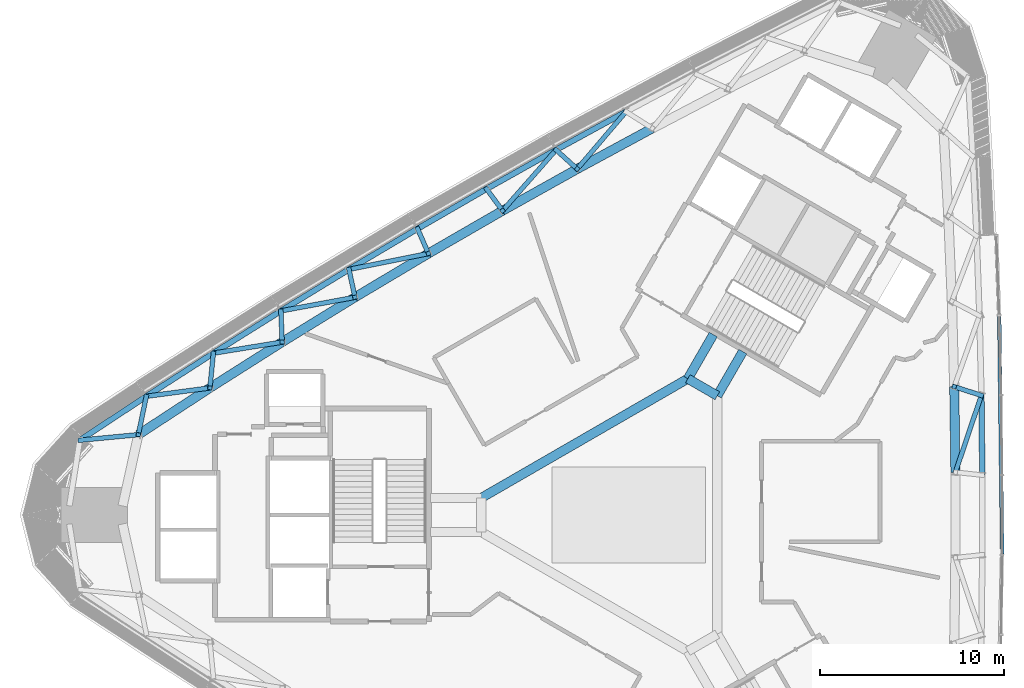
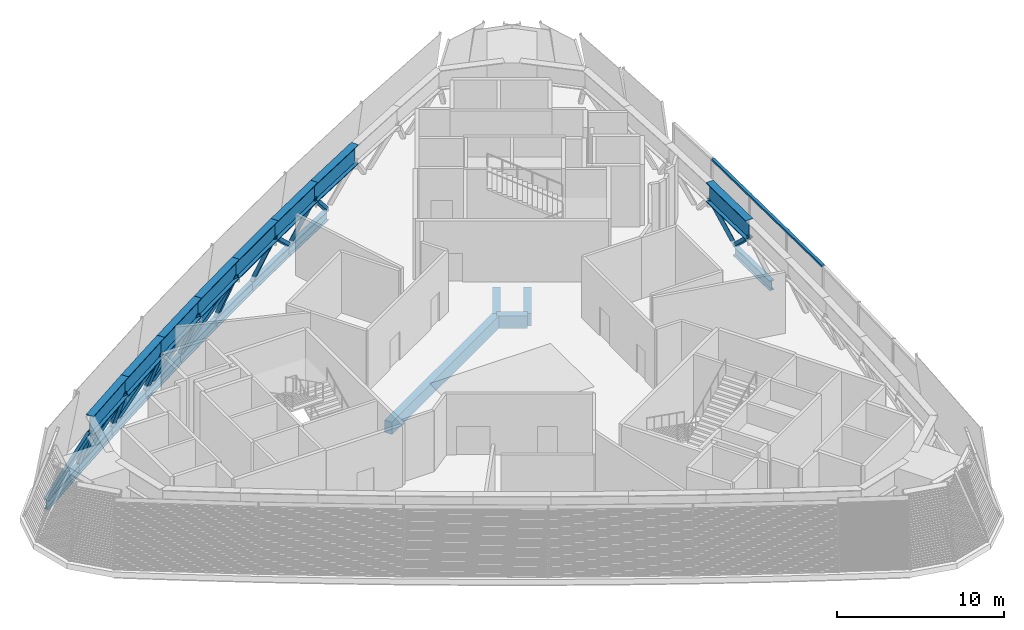
# One storey, part 3 of 18: 21 beams, 17 members, 1 element without a shape of its own.
"""IFC4 building model written with IfcOpenShell, lengths in metres."""

from ifc_helpers import new_model, si_unit, direction, frame, origin, origin_2d, place, context, subcontext, project, spatial, rectangle, hollow_rectangle, i_section, extrude, material, material_profile, profile_set, type_object, element, aggregate, save


model = new_model("IFC4")

# Units and contexts
model_context = context("Model", 3, precision=1e-05, world=origin(), true_north=direction((0.0, 1.0)))
body_context = subcontext(model_context, "Body", "Model", "MODEL_VIEW")
ifc_project = project(units=[si_unit("LENGTHUNIT", "METRE"), si_unit("AREAUNIT", "SQUARE_METRE"), si_unit("VOLUMEUNIT", "CUBIC_METRE"), si_unit("PLANEANGLEUNIT", "RADIAN"), si_unit("MASSUNIT", "GRAM", prefix="KILO")], contexts=[model_context])

# Site, building, storey
site_placement = place(None, origin())
site = spatial("IfcSite", under=ifc_project, at=site_placement, CompositionType="ELEMENT")
building_placement = place(site_placement, origin())
building = spatial("IfcBuilding", under=site, at=building_placement, Name="Tamra Quay Hotel Tower", CompositionType="ELEMENT")
storey_placement = place(building_placement, frame((0.0, 0.0, 164.800048828125)))
storey = spatial("IfcBuildingStorey", under=building, at=storey_placement, Name="L41", CompositionType="ELEMENT", Elevation=164.800048828125)

# Beams
ifc_material_1 = material(Name="Concrete M60", Category="concrete")
ifc_material_profile_1 = material_profile(ifc_material_1, rectangle(XDim=0.5, YDim=0.89990234375, at=origin_2d()), Name="ATRIUM EDGE BEAM RC 500x900")
ifc_profile_set_1 = profile_set([ifc_material_profile_1], Name="Concrete M60")
beam_type_1 = type_object("IfcBeamType", Name="ATRIUM EDGE BEAM RC 500x900", PredefinedType="BEAM", material=ifc_profile_set_1)
beam_1_placement = place(storey_placement, frame((-8.0, 0.923828125, -0.85009765625), z_axis=(0.866024942741, 0.500000798549, 0.0), x_axis=(-0.500000798549, 0.866024942741, 0.0)))
element("IfcBeam", 1, at=beam_1_placement, inside=storey, type_object=beam_type_1, Name="BM-AB4-L41", PredefinedType="BEAM", context=body_context, shape_type="SweptSolid", body=[
    extrude(rectangle(XDim=0.5, YDim=0.89990234375, at=origin_2d()), origin(), (0.0, 0.0, 1.0), 12.9326171875),
])
beam_2_placement = place(storey_placement, frame((3.199951171875, 7.39013671875, -0.85009765625), z_axis=(0.86602275259, -0.500004591975, 0.0), x_axis=(0.500004591975, 0.86602275259, 0.0)))
element("IfcBeam", 2, at=beam_2_placement, inside=storey, type_object=beam_type_1, Name="BM-AB5-L41", PredefinedType="BEAM", context=body_context, shape_type="SweptSolid", body=[
    extrude(rectangle(XDim=0.5, YDim=0.89990234375, at=origin_2d()), origin(), (0.0, 0.0, 1.0), 1.84765625),
])
ifc_material_profile_2 = material_profile(ifc_material_1, rectangle(XDim=0.5, YDim=0.89990234375, at=origin_2d()), Name="ATRIUM TIE BEAM RC 500x900")
ifc_profile_set_2 = profile_set([ifc_material_profile_2], Name="Concrete M60")
beam_type_2 = type_object("IfcBeamType", Name="ATRIUM TIE BEAM RC 500x900", PredefinedType="BEAM", material=ifc_profile_set_2)
for number, where, z_axis, x_axis, name in (
    (3, (4.800048828125, 6.46630859375, -0.85009765625), (0.500008091576, 0.86602073206, 0.0), (-0.86602073206, 0.500008091576, 0.0), "BM-TIE-0-L41"),
    (4, (3.199951171875, 7.39013671875, -0.85009765625), (0.500008091576, 0.86602073206, 0.0), (-0.86602073206, 0.500008091576, 0.0), "BM-TIE-5-L41"),
):
    element("IfcBeam", number, at=place(storey_placement, frame(where, z_axis=z_axis, x_axis=x_axis)), inside=storey, type_object=beam_type_2, Name=name, PredefinedType="BEAM", context=body_context, shape_type="SweptSolid", body=[
        extrude(rectangle(XDim=0.5, YDim=0.89990234375, at=origin_2d()), origin(), (0.0, 0.0, 1.0), 2.76220703125),
    ])

# Members
ifc_material_2 = material(Name="Structural steel IS 2062 E350", Category="steel")
ifc_material_profile_3 = material_profile(ifc_material_2, hollow_rectangle(XDim=0.25, YDim=0.25, WallThickness=0.010009765625, at=origin_2d()), Name="SHS 250x250x10")
ifc_profile_set_3 = profile_set([ifc_material_profile_3], Name="Structural steel IS 2062 E350")
member_type_1 = type_object("IfcMemberType", Name="BELT BRACE SHS 250x250x10 Z3", PredefinedType="BRACE", material=ifc_profile_set_3)
member_1_placement = place(storey_placement, frame((19.119140625, 6.483642578125, -0.400146484375), z_axis=(-0.247570185396, -0.733000236525, 0.633576875018), x_axis=(0.947420743459, -0.319990523084, 0.0)))
element("IfcMember", 5, at=member_1_placement, inside=storey, type_object=member_type_1, Name="BR-L41-011", PredefinedType="BRACE", context=body_context, shape_type="SweptSolid", body=[
    extrude(hollow_rectangle(XDim=0.25, YDim=0.25, WallThickness=0.010009765625, at=origin_2d()), origin(), (0.0, 0.0, 1.0), 5.68212890625),
])
member_2_placement = place(storey_placement, frame((19.119140625, 6.483642578125, -0.400146484375), z_axis=(-0.375474688046, 0.120525816876, 0.918962614095), x_axis=(-0.305635724099, -0.952148520009, 0.0)))
element("IfcMember", 6, at=member_2_placement, inside=storey, type_object=member_type_1, Name="BR-L41-012", PredefinedType="BRACE", context=body_context, shape_type="SweptSolid", body=[
    extrude(hollow_rectangle(XDim=0.25, YDim=0.25, WallThickness=0.010009765625, at=origin_2d()), origin(), (0.0, 0.0, 1.0), 3.91748046875),
])
member_3_placement = place(storey_placement, frame((-0.150634765625, 21.87060546875, -0.400146484375), z_axis=(-0.486634214127, -0.570975774689, 0.661191202573), x_axis=(0.761080389716, -0.648657567896, 0.0)))
element("IfcMember", 7, at=member_3_placement, inside=storey, type_object=member_type_1, Name="BR-L41-026", PredefinedType="BRACE", context=body_context, shape_type="SweptSolid", body=[
    extrude(hollow_rectangle(XDim=0.25, YDim=0.25, WallThickness=0.010009765625, at=origin_2d()), origin(), (0.0, 0.0, 1.0), 5.44482421875),
])
member_4_placement = place(storey_placement, frame((-3.944580078125, 19.799560546875, -0.400146484375), z_axis=(0.292092404192, -0.264921017755, 0.918966202733), x_axis=(0.671814938486, 0.740719034741, 0.0)))
element("IfcMember", 8, at=member_4_placement, inside=storey, type_object=member_type_1, Name="BR-L41-027", PredefinedType="BRACE", context=body_context, shape_type="SweptSolid", body=[
    extrude(hollow_rectangle(XDim=0.25, YDim=0.25, WallThickness=0.010009765625, at=origin_2d()), origin(), (0.0, 0.0, 1.0), 3.91748046875),
])
member_5_placement = place(storey_placement, frame((-3.944580078125, 19.799560546875, -0.400146484375), z_axis=(-0.510999733836, -0.580906112962, 0.633582954271), x_axis=(0.750840198212, -0.660483911045, 0.0)))
element("IfcMember", 9, at=member_5_placement, inside=storey, type_object=member_type_1, Name="BR-L41-028", PredefinedType="BRACE", context=body_context, shape_type="SweptSolid", body=[
    extrude(hollow_rectangle(XDim=0.25, YDim=0.25, WallThickness=0.010009765625, at=origin_2d()), origin(), (0.0, 0.0, 1.0), 5.68212890625),
])
for number, where, z_axis, x_axis, name in (
    (10, (-7.7138671875, 17.68310546875, -0.400146484375), (0.222692817724, -0.304648296329, 0.92606550766), (0.807308786503, 0.590129242824, 0.0), "BR-L41-029"),
    (11, (-11.45703125, 15.521728515625, -0.400146484375), (0.152485994766, -0.345103188319, 0.926094925379), (0.914688035178, 0.404160609538, 0.0), "BR-L41-030"),
):
    element("IfcMember", number, at=place(storey_placement, frame(where, z_axis=z_axis, x_axis=x_axis)), inside=storey, type_object=member_type_1, Name=name, PredefinedType="BRACE", context=body_context, shape_type="SweptSolid", body=[
        extrude(hollow_rectangle(XDim=0.25, YDim=0.25, WallThickness=0.010009765625, at=origin_2d()), origin(), (0.0, 0.0, 1.0), 3.887451171875),
    ])
member_6_placement = place(storey_placement, frame((-15.174560546875, 13.31591796875, -0.400146484375), z_axis=(0.758574552173, 0.152101609442, 0.633584839781), x_axis=(-0.196596709798, 0.980484438273, 0.0)))
element("IfcMember", 12, at=member_6_placement, inside=storey, type_object=member_type_1, Name="BR-L41-031", PredefinedType="BRACE", context=body_context, shape_type="SweptSolid", body=[
    extrude(hollow_rectangle(XDim=0.25, YDim=0.25, WallThickness=0.010009765625, at=origin_2d()), origin(), (0.0, 0.0, 1.0), 5.68212890625),
])
member_7_placement = place(storey_placement, frame((-15.174560546875, 13.31591796875, -0.400146484375), z_axis=(0.083382859732, -0.385443189419, 0.918956389843), x_axis=(0.977391222194, 0.21143887717, 0.0)))
element("IfcMember", 13, at=member_7_placement, inside=storey, type_object=member_type_1, Name="BR-L41-032", PredefinedType="BRACE", context=body_context, shape_type="SweptSolid", body=[
    extrude(hollow_rectangle(XDim=0.25, YDim=0.25, WallThickness=0.010009765625, at=origin_2d()), origin(), (0.0, 0.0, 1.0), 3.91748046875),
])
member_8_placement = place(storey_placement, frame((-18.864990234375, 11.06591796875, -0.400146484375), z_axis=(0.737791459962, 0.135908953151, 0.661205352413), x_axis=(-0.181162429477, 0.983453188589, 0.0)))
element("IfcMember", 14, at=member_8_placement, inside=storey, type_object=member_type_1, Name="BR-L41-033", PredefinedType="BRACE", context=body_context, shape_type="SweptSolid", body=[
    extrude(hollow_rectangle(XDim=0.25, YDim=0.25, WallThickness=0.010009765625, at=origin_2d()), origin(), (0.0, 0.0, 1.0), 5.44482421875),
])
member_9_placement = place(storey_placement, frame((-18.864990234375, 11.06591796875, -0.400146484375), z_axis=(0.016695641536, -0.42481814365, 0.905124742994), x_axis=(0.999228621767, 0.039270363404, 0.0)))
element("IfcMember", 15, at=member_9_placement, inside=storey, type_object=member_type_1, Name="BR-L41-034", PredefinedType="BRACE", context=body_context, shape_type="SweptSolid", body=[
    extrude(hollow_rectangle(XDim=0.25, YDim=0.25, WallThickness=0.010009765625, at=origin_2d()), origin(), (0.0, 0.0, 1.0), 3.9775390625),
])
member_10_placement = place(storey_placement, frame((-22.528564453125, 8.771728515625, -0.400146484375), z_axis=(0.714680657517, 0.115823360912, 0.689794539583), x_axis=(-0.159975874401, 0.987120924512, 0.0)))
element("IfcMember", 16, at=member_10_placement, inside=storey, type_object=member_type_1, Name="BR-L41-035", PredefinedType="BRACE", context=body_context, shape_type="SweptSolid", body=[
    extrude(hollow_rectangle(XDim=0.25, YDim=0.25, WallThickness=0.010009765625, at=origin_2d()), origin(), (0.0, 0.0, 1.0), 5.218994140625),
])
member_11_placement = place(storey_placement, frame((-22.528564453125, 8.771728515625, -0.400146484375), z_axis=(-0.045820587515, -0.462289492387, 0.885544408253), x_axis=(0.995123843142, -0.098633345326, 0.0)))
element("IfcMember", 17, at=member_11_placement, inside=storey, type_object=member_type_1, Name="BR-L41-036", PredefinedType="BRACE", context=body_context, shape_type="SweptSolid", body=[
    extrude(hollow_rectangle(XDim=0.25, YDim=0.25, WallThickness=0.010009765625, at=origin_2d()), origin(), (0.0, 0.0, 1.0), 4.0654296875),
])
member_12_placement = place(storey_placement, frame((-26.164794921875, 6.43408203125, -0.400146484375), z_axis=(0.688986958227, 0.091517126926, 0.718972591183), x_axis=(-0.131672039342, 0.991293334011, 0.0)))
element("IfcMember", 18, at=member_12_placement, inside=storey, type_object=member_type_1, Name="BR-L41-037", PredefinedType="BRACE", context=body_context, shape_type="SweptSolid", body=[
    extrude(hollow_rectangle(XDim=0.25, YDim=0.25, WallThickness=0.010009765625, at=origin_2d()), origin(), (0.0, 0.0, 1.0), 5.00732421875),
])
member_13_placement = place(storey_placement, frame((-26.164794921875, 6.43408203125, -0.400146484375), z_axis=(-0.10332312907, -0.497516344497, 0.861279175388), x_axis=(0.97910836909, -0.203339129481, 0.0)))
element("IfcMember", 19, at=member_13_placement, inside=storey, type_object=member_type_1, Name="BR-L41-038", PredefinedType="BRACE", context=body_context, shape_type="SweptSolid", body=[
    extrude(hollow_rectangle(XDim=0.25, YDim=0.25, WallThickness=0.010009765625, at=origin_2d()), origin(), (0.0, 0.0, 1.0), 4.179931640625),
])
member_14_placement = place(storey_placement, frame((-29.772705078125, 4.053466796875, -0.400146484375), z_axis=(0.660262711841, 0.062580054093, 0.74842293403), x_axis=(-0.094357660191, 0.995538362879, 0.0)))
element("IfcMember", 20, at=member_14_placement, inside=storey, type_object=member_type_1, Name="BR-L41-039", PredefinedType="BRACE", context=body_context, shape_type="SweptSolid", body=[
    extrude(hollow_rectangle(XDim=0.25, YDim=0.25, WallThickness=0.010009765625, at=origin_2d()), origin(), (0.0, 0.0, 1.0), 4.810302734375),
])

# Beams
ifc_material_profile_4 = material_profile(ifc_material_2, i_section(OverallWidth=0.303955078125, OverallDepth=0.716064453125, WebThickness=0.02099609375, FlangeThickness=0.0400390625, at=origin_2d()), Name="WPB 700x300x300")
ifc_profile_set_4 = profile_set([ifc_material_profile_4], Name="Structural steel IS 2062 E350")
beam_type_3 = type_object("IfcBeamType", Name="BELT CHORD WPB 700x300x300 Z3", PredefinedType="BEAM", material=ifc_profile_set_4)
beam_3_placement = place(storey_placement, frame((19.1708984375, 2.1611328125, -0.758056640625), z_axis=(-0.011973160331, 0.999928319147, 0.0), x_axis=(-0.999928319147, -0.011973160331, 0.0)))
element("IfcBeam", 21, at=beam_3_placement, inside=storey, type_object=beam_type_3, Name="BM-CHB-L41-006", PredefinedType="BEAM", context=body_context, shape_type="SweptSolid", body=[
    extrude(i_section(OverallWidth=0.303955078125, OverallDepth=0.716064453125, WebThickness=0.02099609375, FlangeThickness=0.0400390625, at=origin_2d()), origin(), (0.0, 0.0, 1.0), 4.32275390625),
])
beam_4_placement = place(storey_placement, frame((-0.150634765625, 21.87060546875, -0.758056640625), z_axis=(-0.877737950018, -0.479140992922, 0.0), x_axis=(0.479140992922, -0.877737950018, 0.0)))
element("IfcBeam", 22, at=beam_4_placement, inside=storey, type_object=beam_type_3, Name="BM-CHB-L41-016", PredefinedType="BEAM", context=body_context, shape_type="SweptSolid", body=[
    extrude(i_section(OverallWidth=0.303955078125, OverallDepth=0.716064453125, WebThickness=0.02099609375, FlangeThickness=0.0400390625, at=origin_2d()), origin(), (0.0, 0.0, 1.0), 4.322509765625),
])
beam_5_placement = place(storey_placement, frame((-3.944580078125, 19.799560546875, -0.758056640625), z_axis=(-0.871947832334, -0.489598792571, 0.0), x_axis=(0.489598792571, -0.871947832334, 0.0)))
element("IfcBeam", 23, at=beam_5_placement, inside=storey, type_object=beam_type_3, Name="BM-CHB-L41-017", PredefinedType="BEAM", context=body_context, shape_type="SweptSolid", body=[
    extrude(i_section(OverallWidth=0.303955078125, OverallDepth=0.716064453125, WebThickness=0.02099609375, FlangeThickness=0.0400390625, at=origin_2d()), origin(), (0.0, 0.0, 1.0), 4.32275390625),
])
beam_6_placement = place(storey_placement, frame((-7.7138671875, 17.68310546875, -0.758056640625), z_axis=(-0.865999338476, -0.500045143721, 0.0), x_axis=(0.500045143721, -0.865999338476, 0.0)))
element("IfcBeam", 24, at=beam_6_placement, inside=storey, type_object=beam_type_3, Name="BM-CHB-L41-018", PredefinedType="BEAM", context=body_context, shape_type="SweptSolid", body=[
    extrude(i_section(OverallWidth=0.303955078125, OverallDepth=0.716064453125, WebThickness=0.02099609375, FlangeThickness=0.0400390625, at=origin_2d()), origin(), (0.0, 0.0, 1.0), 4.322265625),
])
beam_7_placement = place(storey_placement, frame((-11.45703125, 15.521728515625, -0.758056640625), z_axis=(-0.860004243516, -0.510286881209, 0.0), x_axis=(0.510286881209, -0.860004243516, 0.0)))
element("IfcBeam", 25, at=beam_7_placement, inside=storey, type_object=beam_type_3, Name="BM-CHB-L41-019", PredefinedType="BEAM", context=body_context, shape_type="SweptSolid", body=[
    extrude(i_section(OverallWidth=0.303955078125, OverallDepth=0.716064453125, WebThickness=0.02099609375, FlangeThickness=0.0400390625, at=origin_2d()), origin(), (0.0, 0.0, 1.0), 4.32275390625),
])
beam_8_placement = place(storey_placement, frame((-15.174560546875, 13.31591796875, -0.758056640625), z_axis=(-0.853823118796, -0.520563235169, 0.0), x_axis=(0.520563235169, -0.853823118796, 0.0)))
element("IfcBeam", 26, at=beam_8_placement, inside=storey, type_object=beam_type_3, Name="BM-CHB-L41-020", PredefinedType="BEAM", context=body_context, shape_type="SweptSolid", body=[
    extrude(i_section(OverallWidth=0.303955078125, OverallDepth=0.716064453125, WebThickness=0.02099609375, FlangeThickness=0.0400390625, at=origin_2d()), origin(), (0.0, 0.0, 1.0), 4.322265625),
])
beam_9_placement = place(storey_placement, frame((-18.864990234375, 11.06591796875, -0.758056640625), z_axis=(-0.847534719417, -0.530739954576, 0.0), x_axis=(0.530739954576, -0.847534719417, 0.0)))
element("IfcBeam", 27, at=beam_9_placement, inside=storey, type_object=beam_type_3, Name="BM-CHB-L41-021", PredefinedType="BEAM", context=body_context, shape_type="SweptSolid", body=[
    extrude(i_section(OverallWidth=0.303955078125, OverallDepth=0.716064453125, WebThickness=0.02099609375, FlangeThickness=0.0400390625, at=origin_2d()), origin(), (0.0, 0.0, 1.0), 4.322509765625),
])
beam_10_placement = place(storey_placement, frame((-22.528564453125, 8.771728515625, -0.758056640625), z_axis=(-0.841171135304, -0.540769009033, 0.0), x_axis=(0.540769009033, -0.841171135304, 0.0)))
element("IfcBeam", 28, at=beam_10_placement, inside=storey, type_object=beam_type_3, Name="BM-CHB-L41-022", PredefinedType="BEAM", context=body_context, shape_type="SweptSolid", body=[
    extrude(i_section(OverallWidth=0.303955078125, OverallDepth=0.716064453125, WebThickness=0.02099609375, FlangeThickness=0.0400390625, at=origin_2d()), origin(), (0.0, 0.0, 1.0), 4.32275390625),
])
beam_11_placement = place(storey_placement, frame((-26.164794921875, 6.43408203125, -0.758056640625), z_axis=(-0.83467379751, -0.550744633883, 0.0), x_axis=(0.550744633883, -0.83467379751, 0.0)))
element("IfcBeam", 29, at=beam_11_placement, inside=storey, type_object=beam_type_3, Name="BM-CHB-L41-023", PredefinedType="BEAM", context=body_context, shape_type="SweptSolid", body=[
    extrude(i_section(OverallWidth=0.303955078125, OverallDepth=0.716064453125, WebThickness=0.02099609375, FlangeThickness=0.0400390625, at=origin_2d()), origin(), (0.0, 0.0, 1.0), 4.322509765625),
])
ifc_material_profile_5 = material_profile(ifc_material_2, i_section(OverallWidth=0.5, OverallDepth=1.39990234375, WebThickness=0.02490234375, FlangeThickness=0.050048828125, at=origin_2d()), Name="WPG 1400x500x25x50")
ifc_profile_set_5 = profile_set([ifc_material_profile_5], Name="Structural steel IS 2062 E350")
beam_type_4 = type_object("IfcBeamType", Name="BELT TOP CHORD WPG 1400x500x25x50 Z3", PredefinedType="USERDEFINED", material=ifc_profile_set_5)
beam_12_placement = place(storey_placement, frame((17.71240234375, 2.318603515625, 3.75), z_axis=(-0.013845150668, 0.999904151308, 0.0), x_axis=(-0.999904151308, -0.013845150668, 0.0)))
element("IfcBeam", 30, at=beam_12_placement, inside=storey, type_object=beam_type_4, Name="BM-CHT-L41-005", ObjectType="TRANSFER GIRDER", PredefinedType="USERDEFINED", context=body_context, shape_type="SweptSolid", body=[
    extrude(i_section(OverallWidth=0.5, OverallDepth=1.39990234375, WebThickness=0.02490234375, FlangeThickness=0.050048828125, at=origin_2d()), origin(), (0.0, 0.0, 1.0), 4.6376953125),
])
beam_13_placement = place(storey_placement, frame((1.279296875, 20.96826171875, 3.75), z_axis=(-0.879583890062, -0.475743817976, 0.0), x_axis=(0.475743817976, -0.879583890062, 0.0)))
element("IfcBeam", 31, at=beam_13_placement, inside=storey, type_object=beam_type_4, Name="BM-CHT-L41-013", ObjectType="TRANSFER GIRDER", PredefinedType="USERDEFINED", context=body_context, shape_type="SweptSolid", body=[
    extrude(i_section(OverallWidth=0.5, OverallDepth=1.39990234375, WebThickness=0.02490234375, FlangeThickness=0.050048828125, at=origin_2d()), origin(), (0.0, 0.0, 1.0), 4.63818359375),
])
for number, where, z_axis, x_axis, name in (
    (32, (-2.80029296875, 18.76171875, 3.75), (-0.87286038903, -0.487970020864, 0.0), (0.487970020864, -0.87286038903, 0.0), "BM-CHT-L41-014"),
    (33, (-6.84814453125, 16.498779296875, 3.75), (-0.866034794193, -0.499983734982, 0.0), (0.499983734982, -0.866034794193, 0.0), "BM-CHT-L41-015"),
    (34, (-10.8642578125, 14.18017578125, 3.75), (-0.859003520723, -0.51196967819, 0.0), (0.51196967819, -0.859003520723, 0.0), "BM-CHT-L41-016"),
):
    element("IfcBeam", number, at=place(storey_placement, frame(where, z_axis=z_axis, x_axis=x_axis)), inside=storey, type_object=beam_type_4, Name=name, ObjectType="TRANSFER GIRDER", PredefinedType="USERDEFINED", context=body_context, shape_type="SweptSolid", body=[
        extrude(i_section(OverallWidth=0.5, OverallDepth=1.39990234375, WebThickness=0.02490234375, FlangeThickness=0.050048828125, at=origin_2d()), origin(), (0.0, 0.0, 1.0), 4.637451171875),
    ])
beam_14_placement = place(storey_placement, frame((-14.847900390625, 11.805908203125, 3.75), z_axis=(-0.851802871864, -0.52386245092, 0.0), x_axis=(0.52386245092, -0.851802871864, 0.0)))
element("IfcBeam", 35, at=beam_14_placement, inside=storey, type_object=beam_type_4, Name="BM-CHT-L41-017", ObjectType="TRANSFER GIRDER", PredefinedType="USERDEFINED", context=body_context, shape_type="SweptSolid", body=[
    extrude(i_section(OverallWidth=0.5, OverallDepth=1.39990234375, WebThickness=0.02490234375, FlangeThickness=0.050048828125, at=origin_2d()), origin(), (0.0, 0.0, 1.0), 4.637939453125),
])
beam_15_placement = place(storey_placement, frame((-18.798583984375, 9.376220703125, 3.75), z_axis=(-0.844469087258, -0.535604294854, 0.0), x_axis=(0.535604294854, -0.844469087258, 0.0)))
element("IfcBeam", 36, at=beam_15_placement, inside=storey, type_object=beam_type_4, Name="BM-CHT-L41-018", ObjectType="TRANSFER GIRDER", PredefinedType="USERDEFINED", context=body_context, shape_type="SweptSolid", body=[
    extrude(i_section(OverallWidth=0.5, OverallDepth=1.39990234375, WebThickness=0.02490234375, FlangeThickness=0.050048828125, at=origin_2d()), origin(), (0.0, 0.0, 1.0), 4.637451171875),
])
beam_16_placement = place(storey_placement, frame((-22.71484375, 6.892333984375, 3.75), z_axis=(-0.836997433708, -0.547206812792, 0.0), x_axis=(0.547206812792, -0.836997433708, 0.0)))
element("IfcBeam", 37, at=beam_16_placement, inside=storey, type_object=beam_type_4, Name="BM-CHT-L41-019", ObjectType="TRANSFER GIRDER", PredefinedType="USERDEFINED", context=body_context, shape_type="SweptSolid", body=[
    extrude(i_section(OverallWidth=0.5, OverallDepth=1.39990234375, WebThickness=0.02490234375, FlangeThickness=0.050048828125, at=origin_2d()), origin(), (0.0, 0.0, 1.0), 4.6376953125),
])

# Curtain wall, member
ifc_material_3 = material(Name="Aluminium 6063 anodised dark grey", Category="aluminium")
curtain_wall_type = type_object("IfcCurtainWallType", Name="CW1 CURTAIN WALL", PredefinedType="NOTDEFINED", material=ifc_material_3)
curtain_wall_placement = place(storey_placement, origin())
curtain_wall = element("IfcCurtainWall", 38, at=curtain_wall_placement, inside=storey, type_object=curtain_wall_type, Name="CW1 east face L41", PredefinedType="NOTDEFINED")
ifc_material_profile_6 = material_profile(ifc_material_3, rectangle(XDim=0.199951171875, YDim=0.139892578125, at=origin_2d()), Name="TRANSOM 200X140")
ifc_profile_set_6 = profile_set([ifc_material_profile_6], Name="Aluminium 6063 anodised dark grey")
member_type_2 = type_object("IfcMemberType", Name="TRANSOM CW1 Z3", PredefinedType="USERDEFINED", material=ifc_profile_set_6)
member_15_placement = place(storey_placement, frame((20.245849609375, -2.11767578125, 2.8798828125), z_axis=(-0.011955934464, 0.999928525261, 0.0), x_axis=(-0.999928525261, -0.011955934464, 0.0)))
member_15 = element("IfcMember", 39, at=member_15_placement, type_object=member_type_2, Name="CW1 transom L41.E.4", ObjectType="TRANSOM", PredefinedType="USERDEFINED", context=body_context, shape_type="SweptSolid", body=[
    extrude(rectangle(XDim=0.199951171875, YDim=0.139892578125, at=origin_2d()), origin(), (0.0, 0.0, 1.0), 12.905517578125),
])
aggregate(curtain_wall, [member_15])

save(model, "model.ifc")
